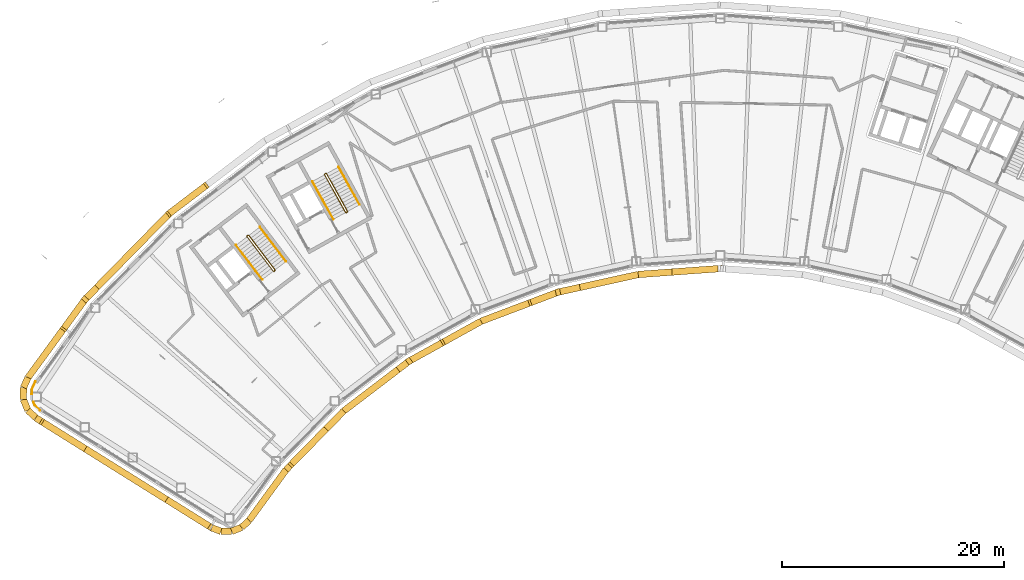
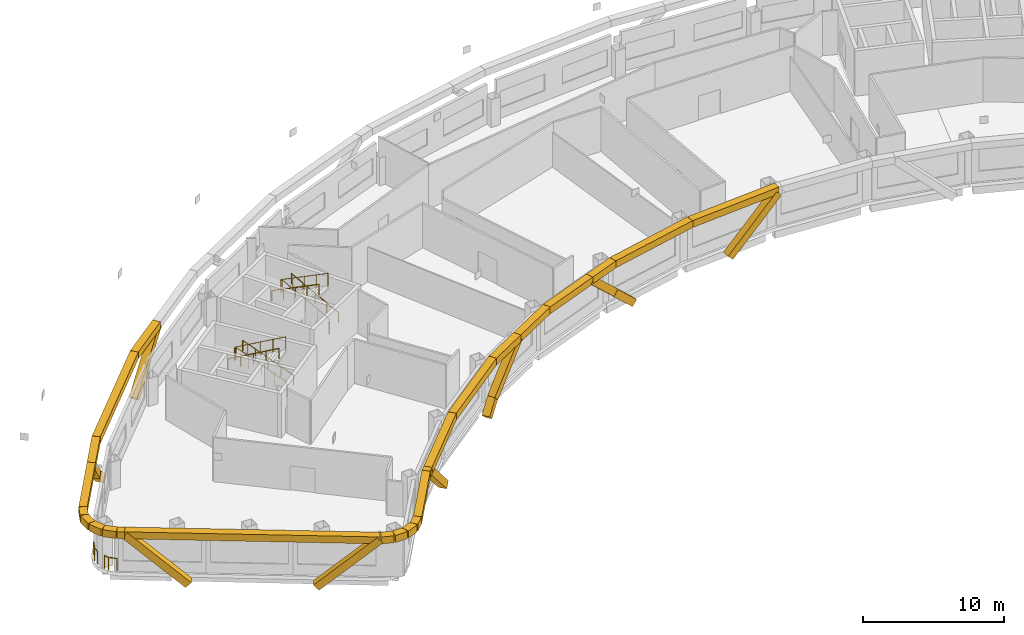
# One storey, part 18 of 21: 35 coverings, 8 railings.
"""IFC4 building model written with IfcOpenShell, lengths in metres."""

from ifc_helpers import new_model, si_unit, direction, frame, origin, origin_2d, place, context, subcontext, project, spatial, rectangle, circle, extrude, material, material_profile, profile_set, type_object, element, save


model = new_model("IFC4")

# Units and contexts
model_context = context("Model", 3, precision=1e-05, world=origin(), true_north=direction((0.0, 1.0)))
body_context = subcontext(model_context, "Body", "Model", "MODEL_VIEW")
ifc_project = project(units=[si_unit("LENGTHUNIT", "METRE"), si_unit("AREAUNIT", "SQUARE_METRE"), si_unit("VOLUMEUNIT", "CUBIC_METRE"), si_unit("PLANEANGLEUNIT", "RADIAN"), si_unit("MASSUNIT", "GRAM", prefix="KILO")], contexts=[model_context])

# Site, building, storey
site_placement = place(None, origin())
site = spatial("IfcSite", under=ifc_project, at=site_placement, CompositionType="ELEMENT")
building_placement = place(site_placement, origin())
building = spatial("IfcBuilding", under=site, at=building_placement, Name="Tuul Gate Civic Tower", CompositionType="ELEMENT")
storey_placement = place(building_placement, frame((0.0, 0.0, 311.0)))
storey = spatial("IfcBuildingStorey", under=building, at=storey_placement, Name="Level 70", CompositionType="ELEMENT", Elevation=311.0)

# Railings
ifc_material_1 = material(Name="Stainless steel", Category="steel")
railing_type_1 = type_object("IfcRailingType", Name="Edge guard", PredefinedType="GUARDRAIL", material=ifc_material_1)
railing_1_placement = place(storey_placement, frame((-54.987548828125, -23.52099609375, 0.0)))
element("IfcRailing", 1, at=railing_1_placement, inside=storey, type_object=railing_type_1, Name="Guard", PredefinedType="GUARDRAIL", context=body_context, shape_type="SweptSolid", body=[
    extrude(circle(Radius=0.02392578125, at=origin_2d()), frame((0.0, 0.0, 1.076171875), z_axis=(-0.415309485635, -0.909680180691, 0.0), x_axis=(0.909680180691, -0.415309485635, 0.0)), (0.0, 0.0, 1.0), 0.768798828125),
    extrude(circle(Radius=0.02392578125, at=origin_2d()), frame((-0.3193359375, -0.699462890625, 1.076171875), z_axis=(-0.022911815029, -0.99973748991, 0.0), x_axis=(0.99973748991, -0.022911815029, 0.0)), (0.0, 0.0, 1.0), 0.436767578125),
    extrude(circle(Radius=0.02099609375, at=origin_2d()), origin(), (0.0, 0.0, 1.0), 1.052001953125),
    extrude(circle(Radius=0.02099609375, at=origin_2d()), frame((-0.3193359375, -0.699462890625, 0.0)), (0.0, 0.0, 1.0), 1.052001953125),
    extrude(circle(Radius=0.02099609375, at=origin_2d()), frame((-0.329345703125, -1.13623046875, 0.0)), (0.0, 0.0, 1.0), 1.052001953125),
])
railing_2_placement = place(storey_placement, frame((-55.161865234375, -25.362548828125, 0.0)))
element("IfcRailing", 2, at=railing_2_placement, inside=storey, type_object=railing_type_1, Name="Guard", PredefinedType="GUARDRAIL", context=body_context, shape_type="SweptSolid", body=[
    extrude(circle(Radius=0.02392578125, at=origin_2d()), frame((0.0, 0.0, 1.076171875), z_axis=(0.385583880468, -0.922672786595, 0.0), x_axis=(0.922672786595, 0.385583880468, 0.0)), (0.0, 0.0, 1.0), 0.340087890625),
    extrude(circle(Radius=0.02392578125, at=origin_2d()), frame((0.131103515625, -0.313720703125, 1.076171875), z_axis=(0.722215812953, -0.691667781178, 0.0), x_axis=(0.691667781178, 0.722215812953, 0.0)), (0.0, 0.0, 1.0), 0.6474609375),
    extrude(circle(Radius=0.02099609375, at=origin_2d()), origin(), (0.0, 0.0, 1.0), 1.052001953125),
    extrude(circle(Radius=0.02099609375, at=origin_2d()), frame((0.131103515625, -0.313720703125, 0.0)), (0.0, 0.0, 1.0), 1.052001953125),
    extrude(circle(Radius=0.02099609375, at=origin_2d()), frame((0.5986328125, -0.761474609375, 0.0)), (0.0, 0.0, 1.0), 1.052001953125),
])
ifc_material_2 = material(Name="Painted steel", Category="steel")
railing_type_2 = type_object("IfcRailingType", Name="Stair guard", PredefinedType="GUARDRAIL", material=ifc_material_2)
railing_3_placement = place(storey_placement, frame((-33.382080078125, -13.515380859375, 0.0)))
element("IfcRailing", 3, at=railing_3_placement, inside=storey, type_object=railing_type_2, Name="Level 70 ST-1 stair guard 1", PredefinedType="GUARDRAIL", context=body_context, shape_type="SweptSolid", body=[
    extrude(circle(Radius=0.02392578125, at=origin_2d()), frame((0.0, 0.0, 1.076171875), z_axis=(-0.795879841968, -0.605454603706, 0.0), x_axis=(0.605454603706, -0.795879841968, 0.0)), (0.0, 0.0, 1.0), 0.10009765625),
    extrude(circle(Radius=0.02392578125, at=origin_2d()), frame((-0.07958984375, -0.060546875, 1.076171875), z_axis=(0.408991890351, 0.599481263939, 0.688002796371), x_axis=(-0.826063974707, 0.563576356576, 0.0)), (0.0, 0.0, 1.0), 0.2177734375),
    extrude(circle(Radius=0.02392578125, at=origin_2d()), frame((0.009521484375, 0.070068359375, 1.22607421875), z_axis=(-0.541810893183, 0.711627203922, 0.44724454012), x_axis=(-0.795637165283, -0.60577347352, 0.0)), (0.0, 0.0, 1.0), 4.3603515625),
    extrude(circle(Radius=0.02392578125, at=origin_2d()), frame((-2.35302734375, 3.173095703125, 3.17626953125), z_axis=(-0.990893089246, 0.134650977284, 0.0), x_axis=(-0.134650977284, -0.990893089246, 0.0)), (0.0, 0.0, 1.0), 0.07080078125),
    extrude(circle(Radius=0.02392578125, at=origin_2d()), frame((-2.423095703125, 3.1826171875, 3.17626953125), z_axis=(-0.793802879778, -0.60817512943, 0.0), x_axis=(0.60817512943, -0.793802879778, 0.0)), (0.0, 0.0, 1.0), 0.099853515625),
    extrude(circle(Radius=0.02392578125, at=origin_2d()), frame((-2.50244140625, 3.121826171875, 3.17626953125), z_axis=(-0.057447065493, -0.422751481959, 0.904423031091), x_axis=(0.990893089246, -0.134650977284, 0.0)), (0.0, 0.0, 1.0), 0.165771484375),
    extrude(circle(Radius=0.02392578125, at=origin_2d()), frame((-2.511962890625, 3.0517578125, 3.326171875), z_axis=(0.541806494602, -0.71163897684, 0.447231136047), x_axis=(0.795644365679, 0.605764016233, 0.0)), (0.0, 0.0, 1.0), 4.360107421875),
    extrude(circle(Radius=0.02099609375, at=origin_2d()), origin(), (0.0, 0.0, 1.0), 1.052001953125),
    extrude(circle(Radius=0.02099609375, at=origin_2d()), frame((-0.07958984375, -0.060546875, 0.0)), (0.0, 0.0, 1.0), 1.052001953125),
    extrude(circle(Radius=0.02099609375, at=origin_2d()), frame((0.009521484375, 0.070068359375, 0.14990234375)), (0.0, 0.0, 1.0), 1.052001953125),
    extrude(circle(Radius=0.02099609375, at=origin_2d()), frame((-0.5810546875, 0.845703125, 0.637451171875)), (0.0, 0.0, 1.0), 1.052001953125),
    extrude(circle(Radius=0.02099609375, at=origin_2d()), frame((-1.171875, 1.62158203125, 1.125)), (0.0, 0.0, 1.0), 1.052001953125),
    extrude(circle(Radius=0.02099609375, at=origin_2d()), frame((-1.762451171875, 2.3974609375, 1.612548828125)), (0.0, 0.0, 1.0), 1.052001953125),
    extrude(circle(Radius=0.02099609375, at=origin_2d()), frame((-2.35302734375, 3.173095703125, 2.10009765625)), (0.0, 0.0, 1.0), 1.052001953125),
    extrude(circle(Radius=0.02099609375, at=origin_2d()), frame((-2.423095703125, 3.1826171875, 2.10009765625)), (0.0, 0.0, 1.0), 1.052001953125),
    extrude(circle(Radius=0.02099609375, at=origin_2d()), frame((-2.50244140625, 3.121826171875, 2.10009765625)), (0.0, 0.0, 1.0), 1.052001953125),
    extrude(circle(Radius=0.02099609375, at=origin_2d()), frame((-2.511962890625, 3.0517578125, 2.25)), (0.0, 0.0, 1.0), 1.052001953125),
    extrude(circle(Radius=0.02099609375, at=origin_2d()), frame((-1.92138671875, 2.276123046875, 2.737548828125)), (0.0, 0.0, 1.0), 1.052001953125),
    extrude(circle(Radius=0.02099609375, at=origin_2d()), frame((-1.330810546875, 1.50048828125, 3.22509765625)), (0.0, 0.0, 1.0), 1.052001953125),
    extrude(circle(Radius=0.02099609375, at=origin_2d()), frame((-0.740234375, 0.724609375, 3.71240234375)), (0.0, 0.0, 1.0), 1.052001953125),
    extrude(circle(Radius=0.02099609375, at=origin_2d()), frame((-0.149658203125, -0.051025390625, 4.199951171875)), (0.0, 0.0, 1.0), 1.052001953125),
])
railing_4_placement = place(storey_placement, frame((-26.857666015625, -8.247314453125, 0.0)))
element("IfcRailing", 4, at=railing_4_placement, inside=storey, type_object=railing_type_2, Name="Level 70 ST-2 stair guard 1", PredefinedType="GUARDRAIL", context=body_context, shape_type="SweptSolid", body=[
    extrude(circle(Radius=0.02392578125, at=origin_2d()), frame((0.0, 0.0, 1.076171875), z_axis=(-0.874616555828, -0.48481530532, 0.0), x_axis=(0.48481530532, -0.874616555828, 0.0)), (0.0, 0.0, 1.0), 0.10009765625),
    extrude(circle(Radius=0.02392578125, at=origin_2d()), frame((-0.087646484375, -0.048583984375, 1.076171875), z_axis=(0.49081399482, 0.534516610797, 0.688036056665), x_axis=(-0.736576986774, 0.676353711126, 0.0)), (0.0, 0.0, 1.0), 0.2177734375),
    extrude(circle(Radius=0.02392578125, at=origin_2d()), frame((0.019287109375, 0.06787109375, 1.22607421875), z_axis=(-0.433539057192, 0.782307594871, 0.447256875739), x_axis=(-0.874667644053, -0.484723129681, 0.0)), (0.0, 0.0, 1.0), 4.3603515625),
    extrude(circle(Radius=0.02392578125, at=origin_2d()), frame((-1.87109375, 3.47900390625, 3.17626953125), z_axis=(-0.961263487578, 0.275631107549, 0.0), x_axis=(-0.275631107549, -0.961263487578, 0.0)), (0.0, 0.0, 1.0), 0.07080078125),
    extrude(circle(Radius=0.02392578125, at=origin_2d()), frame((-1.939208984375, 3.49853515625, 3.17626953125), z_axis=(-0.874042088414, -0.485850211157, 0.0), x_axis=(0.485850211157, -0.874042088414, 0.0)), (0.0, 0.0, 1.0), 0.10009765625),
    extrude(circle(Radius=0.02392578125, at=origin_2d()), frame((-2.026611328125, 3.449951171875, 3.17626953125), z_axis=(-0.117866478395, -0.409586012422, 0.90462522168), x_axis=(0.961000426733, -0.276546885391, 0.0)), (0.0, 0.0, 1.0), 0.165771484375),
    extrude(circle(Radius=0.02392578125, at=origin_2d()), frame((-2.046142578125, 3.382080078125, 3.326171875), z_axis=(0.433595379963, -0.782308193291, 0.447201226726), x_axis=(0.874641102302, 0.484771020343, 0.0)), (0.0, 0.0, 1.0), 4.3603515625),
    extrude(circle(Radius=0.02099609375, at=origin_2d()), origin(), (0.0, 0.0, 1.0), 1.052001953125),
    extrude(circle(Radius=0.02099609375, at=origin_2d()), frame((-0.087646484375, -0.048583984375, 0.0)), (0.0, 0.0, 1.0), 1.052001953125),
    extrude(circle(Radius=0.02099609375, at=origin_2d()), frame((0.019287109375, 0.06787109375, 0.14990234375)), (0.0, 0.0, 1.0), 1.052001953125),
    extrude(circle(Radius=0.02099609375, at=origin_2d()), frame((-0.453369140625, 0.920654296875, 0.637451171875)), (0.0, 0.0, 1.0), 1.052001953125),
    extrude(circle(Radius=0.02099609375, at=origin_2d()), frame((-0.92578125, 1.7734375, 1.125)), (0.0, 0.0, 1.0), 1.052001953125),
    extrude(circle(Radius=0.02099609375, at=origin_2d()), frame((-1.3984375, 2.626220703125, 1.612548828125)), (0.0, 0.0, 1.0), 1.052001953125),
    extrude(circle(Radius=0.02099609375, at=origin_2d()), frame((-1.87109375, 3.47900390625, 2.10009765625)), (0.0, 0.0, 1.0), 1.052001953125),
    extrude(circle(Radius=0.02099609375, at=origin_2d()), frame((-1.939208984375, 3.49853515625, 2.10009765625)), (0.0, 0.0, 1.0), 1.052001953125),
    extrude(circle(Radius=0.02099609375, at=origin_2d()), frame((-2.026611328125, 3.449951171875, 2.10009765625)), (0.0, 0.0, 1.0), 1.052001953125),
    extrude(circle(Radius=0.02099609375, at=origin_2d()), frame((-2.046142578125, 3.382080078125, 2.25)), (0.0, 0.0, 1.0), 1.052001953125),
    extrude(circle(Radius=0.02099609375, at=origin_2d()), frame((-1.573486328125, 2.529296875, 2.737548828125)), (0.0, 0.0, 1.0), 1.052001953125),
    extrude(circle(Radius=0.02099609375, at=origin_2d()), frame((-1.100830078125, 1.676513671875, 3.22509765625)), (0.0, 0.0, 1.0), 1.052001953125),
    extrude(circle(Radius=0.02099609375, at=origin_2d()), frame((-0.628173828125, 0.82373046875, 3.71240234375)), (0.0, 0.0, 1.0), 1.052001953125),
    extrude(circle(Radius=0.02099609375, at=origin_2d()), frame((-0.155517578125, -0.029052734375, 4.199951171875)), (0.0, 0.0, 1.0), 1.052001953125),
])
ifc_material_3 = material(Name="Painted steel", Category="steel")
railing_type_3 = type_object("IfcRailingType", Name="Stair handrail", PredefinedType="HANDRAIL", material=ifc_material_3)
railing_5_placement = place(storey_placement, frame((-32.3779296875, -12.688232421875, 0.14990234375)))
element("IfcRailing", 5, at=railing_5_placement, inside=storey, type_object=railing_type_3, Name="Level 70 ST-1 stair handrail 1", PredefinedType="HANDRAIL", context=body_context, shape_type="SweptSolid", body=[
    extrude(circle(Radius=0.02392578125, at=origin_2d()), frame((0.0, 0.0, 0.8759765625), z_axis=(-0.541810893183, 0.711627203922, 0.44724454012), x_axis=(-0.795637165283, -0.60577347352, 0.0)), (0.0, 0.0, 1.0), 4.3603515625),
    extrude(circle(Radius=0.02099609375, at=origin_2d()), origin(), (0.0, 0.0, 1.0), 0.851806640625),
    extrude(circle(Radius=0.02099609375, at=origin_2d()), frame((-0.590576171875, 0.77587890625, 0.487548828125)), (0.0, 0.0, 1.0), 0.851806640625),
    extrude(circle(Radius=0.02099609375, at=origin_2d()), frame((-1.18115234375, 1.551513671875, 0.97509765625)), (0.0, 0.0, 1.0), 0.851806640625),
    extrude(circle(Radius=0.02099609375, at=origin_2d()), frame((-1.77197265625, 2.3271484375, 1.462646484375)), (0.0, 0.0, 1.0), 0.851806640625),
    extrude(circle(Radius=0.02099609375, at=origin_2d()), frame((-2.362548828125, 3.10302734375, 1.9501953125)), (0.0, 0.0, 1.0), 0.851806640625),
])
railing_6_placement = place(storey_placement, frame((-36.888671875, -11.220703125, 2.25)))
element("IfcRailing", 6, at=railing_6_placement, inside=storey, type_object=railing_type_3, Name="Level 70 ST-1 stair handrail 2", PredefinedType="HANDRAIL", context=body_context, shape_type="SweptSolid", body=[
    extrude(circle(Radius=0.02392578125, at=origin_2d()), frame((0.0, 0.0, 0.8759765625), z_axis=(0.541824460341, -0.711645023348, 0.447199748346), x_axis=(0.795637165283, 0.60577347352, 0.0)), (0.0, 0.0, 1.0), 4.3603515625),
    extrude(circle(Radius=0.02099609375, at=origin_2d()), origin(), (0.0, 0.0, 1.0), 0.851806640625),
    extrude(circle(Radius=0.02099609375, at=origin_2d()), frame((0.590576171875, -0.77587890625, 0.487548828125)), (0.0, 0.0, 1.0), 0.851806640625),
    extrude(circle(Radius=0.02099609375, at=origin_2d()), frame((1.18115234375, -1.551513671875, 0.97509765625)), (0.0, 0.0, 1.0), 0.851806640625),
    extrude(circle(Radius=0.02099609375, at=origin_2d()), frame((1.77197265625, -2.3271484375, 1.46240234375)), (0.0, 0.0, 1.0), 0.851806640625),
    extrude(circle(Radius=0.02099609375, at=origin_2d()), frame((2.362548828125, -3.10302734375, 1.949951171875)), (0.0, 0.0, 1.0), 0.851806640625),
])
railing_7_placement = place(storey_placement, frame((-25.744873046875, -7.573486328125, 0.14990234375)))
element("IfcRailing", 7, at=railing_7_placement, inside=storey, type_object=railing_type_3, Name="Level 70 ST-2 stair handrail 1", PredefinedType="HANDRAIL", context=body_context, shape_type="SweptSolid", body=[
    extrude(circle(Radius=0.02392578125, at=origin_2d()), frame((0.0, 0.0, 0.8759765625), z_axis=(-0.433584522764, 0.782288604346, 0.447246018574), x_axis=(-0.874641102302, -0.484771020343, 0.0)), (0.0, 0.0, 1.0), 4.3603515625),
    extrude(circle(Radius=0.02099609375, at=origin_2d()), origin(), (0.0, 0.0, 1.0), 0.851806640625),
    extrude(circle(Radius=0.02099609375, at=origin_2d()), frame((-0.47265625, 0.852783203125, 0.487548828125)), (0.0, 0.0, 1.0), 0.851806640625),
    extrude(circle(Radius=0.02099609375, at=origin_2d()), frame((-0.9453125, 1.70556640625, 0.97509765625)), (0.0, 0.0, 1.0), 0.851806640625),
    extrude(circle(Radius=0.02099609375, at=origin_2d()), frame((-1.41796875, 2.558349609375, 1.462646484375)), (0.0, 0.0, 1.0), 0.851806640625),
    extrude(circle(Radius=0.02099609375, at=origin_2d()), frame((-1.890625, 3.4111328125, 1.9501953125)), (0.0, 0.0, 1.0), 0.851806640625),
])
railing_8_placement = place(storey_placement, frame((-29.9970703125, -5.47119140625, 2.25)))
element("IfcRailing", 8, at=railing_8_placement, inside=storey, type_object=railing_type_3, Name="Level 70 ST-2 stair handrail 2", PredefinedType="HANDRAIL", context=body_context, shape_type="SweptSolid", body=[
    extrude(circle(Radius=0.02392578125, at=origin_2d()), frame((0.0, 0.0, 0.8759765625), z_axis=(0.433595379963, -0.782308193291, 0.447201226726), x_axis=(0.874641102302, 0.484771020343, 0.0)), (0.0, 0.0, 1.0), 4.3603515625),
    extrude(circle(Radius=0.02099609375, at=origin_2d()), origin(), (0.0, 0.0, 1.0), 0.851806640625),
    extrude(circle(Radius=0.02099609375, at=origin_2d()), frame((0.47265625, -0.852783203125, 0.487548828125)), (0.0, 0.0, 1.0), 0.851806640625),
    extrude(circle(Radius=0.02099609375, at=origin_2d()), frame((0.9453125, -1.70556640625, 0.97509765625)), (0.0, 0.0, 1.0), 0.851806640625),
    extrude(circle(Radius=0.02099609375, at=origin_2d()), frame((1.41796875, -2.558349609375, 1.46240234375)), (0.0, 0.0, 1.0), 0.851806640625),
    extrude(circle(Radius=0.02099609375, at=origin_2d()), frame((1.890625, -3.4111328125, 1.949951171875)), (0.0, 0.0, 1.0), 0.851806640625),
])

# Coverings
ifc_material_4 = material(Name="Terracotta baguette", Category="masonry")
ifc_material_profile = material_profile(ifc_material_4, rectangle(XDim=0.60009765625, YDim=0.60009765625, at=origin_2d()), Name="Terracotta baguette screen frame")
ifc_profile_set = profile_set([ifc_material_profile], Name="Terracotta baguette")
covering_type = type_object("IfcCoveringType", Name="Terracotta baguette screen frame", PredefinedType="CLADDING", material=ifc_profile_set)
covering_1_placement = place(storey_placement, frame((-39.652587890625, -5.88037109375, 3.85009765625), z_axis=(-0.583798891635, -0.444509138069, -0.679404504179), x_axis=(0.605793108402, -0.79562221551, 0.0)))
element("IfcCovering", 9, at=covering_1_placement, inside=storey, type_object=covering_type, Name="Baguette 113", PredefinedType="CLADDING", context=body_context, shape_type="SweptSolid", body=[
    extrude(rectangle(XDim=0.60009765625, YDim=0.60009765625, at=origin_2d()), origin(), (0.0, 0.0, 1.0), 5.572021484375),
])
covering_2_placement = place(storey_placement, frame((-49.570068359375, -15.155517578125, -0.35009765625), z_axis=(-0.513701358244, -0.523932307727, 0.679415816315), x_axis=(0.714044065429, -0.70010075891, 0.0)))
element("IfcCovering", 10, at=covering_2_placement, inside=storey, type_object=covering_type, Name="Baguette 127", PredefinedType="CLADDING", context=body_context, shape_type="SweptSolid", body=[
    extrude(rectangle(XDim=0.60009765625, YDim=0.60009765625, at=origin_2d()), origin(), (0.0, 0.0, 1.0), 1.8134765625),
])
covering_3_placement = place(storey_placement, frame((-50.501708984375, -16.105712890625, 0.882080078125), z_axis=(-0.433756102207, -0.593983365967, 0.677524468011), x_axis=(0.807590994458, -0.589742982723, 0.0)))
element("IfcCovering", 11, at=covering_3_placement, inside=storey, type_object=covering_type, Name="Baguette 128", PredefinedType="CLADDING", context=body_context, shape_type="SweptSolid", body=[
    extrude(rectangle(XDim=0.60009765625, YDim=0.60009765625, at=origin_2d()), origin(), (0.0, 0.0, 1.0), 4.380615234375),
])
covering_4_placement = place(storey_placement, frame((-52.40185546875, -18.707763671875, 3.85009765625), z_axis=(-0.589747855269, -0.807587436261, 0.0), x_axis=(0.807587436261, -0.589747855269, 0.0)))
element("IfcCovering", 12, at=covering_4_placement, inside=storey, type_object=covering_type, Name="Baguette 141", PredefinedType="CLADDING", context=body_context, shape_type="SweptSolid", body=[
    extrude(rectangle(XDim=0.60009765625, YDim=0.60009765625, at=origin_2d()), origin(), (0.0, 0.0, 1.0), 5.512939453125),
])
covering_5_placement = place(storey_placement, frame((-55.653076171875, -23.159912109375, 3.85009765625), z_axis=(-0.413393330634, -0.910552554325, 0.0), x_axis=(0.910552554325, -0.413393330634, 0.0)))
element("IfcCovering", 13, at=covering_5_placement, inside=storey, type_object=covering_type, Name="Baguette 142", PredefinedType="CLADDING", context=body_context, shape_type="SweptSolid", body=[
    extrude(rectangle(XDim=0.60009765625, YDim=0.60009765625, at=origin_2d()), origin(), (0.0, 0.0, 1.0), 0.988037109375),
])
covering_6_placement = place(storey_placement, frame((-56.0615234375, -24.0595703125, 3.85009765625), z_axis=(-0.014627006458, -0.999893019619, 0.0), x_axis=(0.999893019619, -0.014627006458, 0.0)))
element("IfcCovering", 14, at=covering_6_placement, inside=storey, type_object=covering_type, Name="Baguette 143", PredefinedType="CLADDING", context=body_context, shape_type="SweptSolid", body=[
    extrude(rectangle(XDim=0.60009765625, YDim=0.60009765625, at=origin_2d()), origin(), (0.0, 0.0, 1.0), 1.068115234375),
])
covering_7_placement = place(storey_placement, frame((-56.0771484375, -25.127685546875, 3.85009765625), z_axis=(0.386726676251, -0.922194381829, 0.0), x_axis=(0.922194381829, 0.386726676251, 0.0)))
element("IfcCovering", 15, at=covering_7_placement, inside=storey, type_object=covering_type, Name="Baguette 144", PredefinedType="CLADDING", context=body_context, shape_type="SweptSolid", body=[
    extrude(rectangle(XDim=0.60009765625, YDim=0.60009765625, at=origin_2d()), origin(), (0.0, 0.0, 1.0), 1.06689453125),
])
covering_8_placement = place(storey_placement, frame((-55.66455078125, -26.111572265625, 3.85009765625), z_axis=(0.721550422979, -0.69236189027, 0.0), x_axis=(0.69236189027, 0.721550422979, 0.0)))
element("IfcCovering", 16, at=covering_8_placement, inside=storey, type_object=covering_type, Name="Baguette 145", PredefinedType="CLADDING", context=body_context, shape_type="SweptSolid", body=[
    extrude(rectangle(XDim=0.60009765625, YDim=0.60009765625, at=origin_2d()), origin(), (0.0, 0.0, 1.0), 0.987060546875),
])
covering_9_placement = place(storey_placement, frame((-54.952392578125, -26.794921875, 3.85009765625), z_axis=(0.848304313785, -0.529509009568, 0.0), x_axis=(0.529509009568, 0.848304313785, 0.0)))
element("IfcCovering", 17, at=covering_9_placement, inside=storey, type_object=covering_type, Name="Baguette 146", PredefinedType="CLADDING", context=body_context, shape_type="SweptSolid", body=[
    extrude(rectangle(XDim=0.60009765625, YDim=0.60009765625, at=origin_2d()), origin(), (0.0, 0.0, 1.0), 0.53759765625),
])
for number, where, z_axis, x_axis, name in (
    (18, (-54.496337890625, -27.07958984375, 3.85009765625), (0.621656383482, -0.388475936409, -0.680168940564), (0.529940764372, 0.848034661, 0.0), "Baguette 148"),
    (19, (-42.979736328125, -34.27587890625, -0.35009765625), (0.621656383482, -0.388475936409, 0.680168940564), (0.529940764372, 0.848034661, 0.0), "Baguette 156"),
):
    element("IfcCovering", number, at=place(storey_placement, frame(where, z_axis=z_axis, x_axis=x_axis)), inside=storey, type_object=covering_type, Name=name, PredefinedType="CLADDING", context=body_context, shape_type="SweptSolid", body=[
        extrude(rectangle(XDim=0.60009765625, YDim=0.60009765625, at=origin_2d()), origin(), (0.0, 0.0, 1.0), 6.17529296875),
    ])
covering_10_placement = place(storey_placement, frame((-39.0966796875, -36.702392578125, 3.85009765625), z_axis=(0.932070663417, -0.362276522007, 0.0), x_axis=(0.362276522007, 0.932070663417, 0.0)))
element("IfcCovering", 20, at=covering_10_placement, inside=storey, type_object=covering_type, Name="Baguette 172", PredefinedType="CLADDING", context=body_context, shape_type="SweptSolid", body=[
    extrude(rectangle(XDim=0.60009765625, YDim=0.60009765625, at=origin_2d()), origin(), (0.0, 0.0, 1.0), 0.90234375),
])
covering_11_placement = place(storey_placement, frame((-38.255615234375, -37.029296875, 3.85009765625), z_axis=(0.999996190252, 0.002760340801, 0.0), x_axis=(-0.002760340801, 0.999996190252, 0.0)))
element("IfcCovering", 21, at=covering_11_placement, inside=storey, type_object=covering_type, Name="Baguette 173", PredefinedType="CLADDING", context=body_context, shape_type="SweptSolid", body=[
    extrude(rectangle(XDim=0.60009765625, YDim=0.60009765625, at=origin_2d()), origin(), (0.0, 0.0, 1.0), 0.972900390625),
])
covering_12_placement = place(storey_placement, frame((-37.28271484375, -37.026611328125, 3.85009765625), z_axis=(0.92951118864, 0.368793912902, 0.0), x_axis=(-0.368793912902, 0.92951118864, 0.0)))
element("IfcCovering", 22, at=covering_12_placement, inside=storey, type_object=covering_type, Name="Baguette 174", PredefinedType="CLADDING", context=body_context, shape_type="SweptSolid", body=[
    extrude(rectangle(XDim=0.60009765625, YDim=0.60009765625, at=origin_2d()), origin(), (0.0, 0.0, 1.0), 0.97314453125),
])
covering_13_placement = place(storey_placement, frame((-36.378173828125, -36.667724609375, 3.85009765625), z_axis=(0.729874818013, 0.683580829185, 0.0), x_axis=(-0.683580829185, 0.729874818013, 0.0)))
element("IfcCovering", 23, at=covering_13_placement, inside=storey, type_object=covering_type, Name="Baguette 175", PredefinedType="CLADDING", context=body_context, shape_type="SweptSolid", body=[
    extrude(rectangle(XDim=0.60009765625, YDim=0.60009765625, at=origin_2d()), origin(), (0.0, 0.0, 1.0), 0.90185546875),
])
covering_14_placement = place(storey_placement, frame((-35.719970703125, -36.05126953125, 3.85009765625), z_axis=(0.589729447422, 0.807600878432, 0.0), x_axis=(-0.807600878432, 0.589729447422, 0.0)))
element("IfcCovering", 24, at=covering_14_placement, inside=storey, type_object=covering_type, Name="Baguette 176", PredefinedType="CLADDING", context=body_context, shape_type="SweptSolid", body=[
    extrude(rectangle(XDim=0.60009765625, YDim=0.60009765625, at=origin_2d()), origin(), (0.0, 0.0, 1.0), 5.671142578125),
])
covering_15_placement = place(storey_placement, frame((-32.37548828125, -31.47119140625, 3.85009765625), z_axis=(0.700143080351, 0.714002567948, 0.0), x_axis=(-0.714002567948, 0.700143080351, 0.0)))
element("IfcCovering", 25, at=covering_15_placement, inside=storey, type_object=covering_type, Name="Baguette 177", PredefinedType="CLADDING", context=body_context, shape_type="SweptSolid", body=[
    extrude(rectangle(XDim=0.60009765625, YDim=0.60009765625, at=origin_2d()), origin(), (0.0, 0.0, 1.0), 0.5107421875),
])
covering_16_placement = place(storey_placement, frame((-32.017822265625, -31.1064453125, 3.85009765625), z_axis=(0.507757375556, 0.51800055035, -0.688373356112), x_axis=(-0.714132313758, 0.700010741665, 0.0)))
element("IfcCovering", 26, at=covering_16_placement, inside=storey, type_object=covering_type, Name="Baguette 179", PredefinedType="CLADDING", context=body_context, shape_type="SweptSolid", body=[
    extrude(rectangle(XDim=0.60009765625, YDim=0.60009765625, at=origin_2d()), origin(), (0.0, 0.0, 1.0), 6.1015625),
])
covering_17_placement = place(storey_placement, frame((-22.1142578125, -22.314208984375, -0.35009765625), z_axis=(0.577029634039, 0.439408150855, 0.688445552243), x_axis=(-0.605839521282, 0.795586874234, 0.0)))
element("IfcCovering", 27, at=covering_17_placement, inside=storey, type_object=covering_type, Name="Baguette 192", PredefinedType="CLADDING", context=body_context, shape_type="SweptSolid", body=[
    extrude(rectangle(XDim=0.60009765625, YDim=0.60009765625, at=origin_2d()), origin(), (0.0, 0.0, 1.0), 1.444091796875),
])
covering_18_placement = place(storey_placement, frame((-21.281005859375, -21.6796875, 0.64404296875), z_axis=(0.634450812134, 0.351663127776, 0.688335101201), x_axis=(-0.48478990003, 0.874630637943, 0.0)))
element("IfcCovering", 28, at=covering_18_placement, inside=storey, type_object=covering_type, Name="Baguette 193", PredefinedType="CLADDING", context=body_context, shape_type="SweptSolid", body=[
    extrude(rectangle(XDim=0.60009765625, YDim=0.60009765625, at=origin_2d()), origin(), (0.0, 0.0, 1.0), 4.65771484375),
])
covering_19_placement = place(storey_placement, frame((-18.325927734375, -20.041748046875, 3.85009765625), z_axis=(0.874604491332, 0.484837069274, 0.0), x_axis=(-0.484837069274, 0.874604491332, 0.0)))
element("IfcCovering", 29, at=covering_19_placement, inside=storey, type_object=covering_type, Name="Baguette 198", PredefinedType="CLADDING", context=body_context, shape_type="SweptSolid", body=[
    extrude(rectangle(XDim=0.60009765625, YDim=0.60009765625, at=origin_2d()), origin(), (0.0, 0.0, 1.0), 4.03955078125),
])
covering_20_placement = place(storey_placement, frame((-14.79296875, -18.083251953125, 3.85009765625), z_axis=(0.935362476844, 0.353690594889, 0.0), x_axis=(-0.353690594889, 0.935362476844, 0.0)))
element("IfcCovering", 30, at=covering_20_placement, inside=storey, type_object=covering_type, Name="Baguette 199", PredefinedType="CLADDING", context=body_context, shape_type="SweptSolid", body=[
    extrude(rectangle(XDim=0.60009765625, YDim=0.60009765625, at=origin_2d()), origin(), (0.0, 0.0, 1.0), 4.8125),
])
covering_21_placement = place(storey_placement, frame((-10.29150390625, -16.381103515625, 3.85009765625), z_axis=(0.678499099244, 0.256527309211, -0.688355076943), x_axis=(-0.353648388587, 0.935378435314, 0.0)))
element("IfcCovering", 31, at=covering_21_placement, inside=storey, type_object=covering_type, Name="Baguette 202", PredefinedType="CLADDING", context=body_context, shape_type="SweptSolid", body=[
    extrude(rectangle(XDim=0.60009765625, YDim=0.60009765625, at=origin_2d()), origin(), (0.0, 0.0, 1.0), 3.591796875),
])
covering_22_placement = place(storey_placement, frame((-7.8544921875, -15.459716796875, 1.377685546875), z_axis=(0.70833533565, 0.15612169922, -0.688394557868), x_axis=(-0.215240395152, 0.976561095014, 0.0)))
element("IfcCovering", 32, at=covering_22_placement, inside=storey, type_object=covering_type, Name="Baguette 203", PredefinedType="CLADDING", context=body_context, shape_type="SweptSolid", body=[
    extrude(rectangle(XDim=0.60009765625, YDim=0.60009765625, at=origin_2d()), origin(), (0.0, 0.0, 1.0), 2.509765625),
])
covering_23_placement = place(storey_placement, frame((2.635498046875, -13.6279296875, -0.35009765625), z_axis=(0.723503329263, 0.052447504555, 0.688325643726), x_axis=(-0.072301313181, 0.997382835281, 0.0)))
element("IfcCovering", 33, at=covering_23_placement, inside=storey, type_object=covering_type, Name="Baguette 218", PredefinedType="CLADDING", context=body_context, shape_type="SweptSolid", body=[
    extrude(rectangle(XDim=0.60009765625, YDim=0.60009765625, at=origin_2d()), origin(), (0.0, 0.0, 1.0), 5.739501953125),
])
covering_24_placement = place(storey_placement, frame((-39.652587890625, -5.88037109375, 3.85009765625), z_axis=(-0.79562221551, -0.605793108402, 0.0), x_axis=(0.605793108402, -0.79562221551, 0.0)))
element("IfcCovering", 34, at=covering_24_placement, inside=storey, type_object=covering_type, Name="Baguette 420", PredefinedType="CLADDING", context=body_context, shape_type="SweptSolid", body=[
    extrude(rectangle(XDim=0.60009765625, YDim=0.60009765625, at=origin_2d()), origin(), (0.0, 0.0, 1.0), 4.088623046875),
])
covering_25_placement = place(storey_placement, frame((-42.905517578125, -8.357177734375, 3.85009765625), z_axis=(-0.70005206482, -0.714091805401, 0.0), x_axis=(0.714091805401, -0.70005206482, 0.0)))
element("IfcCovering", 35, at=covering_25_placement, inside=storey, type_object=covering_type, Name="Baguette 421", PredefinedType="CLADDING", context=body_context, shape_type="SweptSolid", body=[
    extrude(rectangle(XDim=0.60009765625, YDim=0.60009765625, at=origin_2d()), origin(), (0.0, 0.0, 1.0), 10.850830078125),
])
covering_26_placement = place(storey_placement, frame((-50.501708984375, -16.105712890625, 3.85009765625), z_axis=(-0.589742982723, -0.807590994458, 0.0), x_axis=(0.807590994458, -0.589742982723, 0.0)))
element("IfcCovering", 36, at=covering_26_placement, inside=storey, type_object=covering_type, Name="Baguette 422", PredefinedType="CLADDING", context=body_context, shape_type="SweptSolid", body=[
    extrude(rectangle(XDim=0.60009765625, YDim=0.60009765625, at=origin_2d()), origin(), (0.0, 0.0, 1.0), 3.221923828125),
])
covering_27_placement = place(storey_placement, frame((-54.496337890625, -27.07958984375, 3.85009765625), z_axis=(0.848046779804, -0.529921370832, 0.0), x_axis=(0.529921370832, 0.848046779804, 0.0)))
element("IfcCovering", 37, at=covering_27_placement, inside=storey, type_object=covering_type, Name="Baguette 423", PredefinedType="CLADDING", context=body_context, shape_type="SweptSolid", body=[
    extrude(rectangle(XDim=0.60009765625, YDim=0.60009765625, at=origin_2d()), origin(), (0.0, 0.0, 1.0), 18.10693359375),
])
covering_28_placement = place(storey_placement, frame((-32.017822265625, -31.1064453125, 3.85009765625), z_axis=(0.700038192613, 0.714105404603, 0.0), x_axis=(-0.714105404603, 0.700038192613, 0.0)))
element("IfcCovering", 38, at=covering_28_placement, inside=storey, type_object=covering_type, Name="Baguette 424", PredefinedType="CLADDING", context=body_context, shape_type="SweptSolid", body=[
    extrude(rectangle(XDim=0.60009765625, YDim=0.60009765625, at=origin_2d()), origin(), (0.0, 0.0, 1.0), 6.907470703125),
])
covering_29_placement = place(storey_placement, frame((-27.182373046875, -26.173828125, 3.85009765625), z_axis=(0.795570717168, 0.605860738111, 0.0), x_axis=(-0.605860738111, 0.795570717168, 0.0)))
element("IfcCovering", 39, at=covering_29_placement, inside=storey, type_object=covering_type, Name="Baguette 425", PredefinedType="CLADDING", context=body_context, shape_type="SweptSolid", body=[
    extrude(rectangle(XDim=0.60009765625, YDim=0.60009765625, at=origin_2d()), origin(), (0.0, 0.0, 1.0), 7.417724609375),
])
covering_30_placement = place(storey_placement, frame((-21.281005859375, -21.6796875, 3.85009765625), z_axis=(0.874630637943, 0.48478990003, 0.0), x_axis=(-0.48478990003, 0.874630637943, 0.0)))
element("IfcCovering", 40, at=covering_30_placement, inside=storey, type_object=covering_type, Name="Baguette 426", PredefinedType="CLADDING", context=body_context, shape_type="SweptSolid", body=[
    extrude(rectangle(XDim=0.60009765625, YDim=0.60009765625, at=origin_2d()), origin(), (0.0, 0.0, 1.0), 3.378662109375),
])
covering_31_placement = place(storey_placement, frame((-10.29150390625, -16.381103515625, 3.85009765625), z_axis=(0.935378435314, 0.353648388587, 0.0), x_axis=(-0.353648388587, 0.935378435314, 0.0)))
element("IfcCovering", 41, at=covering_31_placement, inside=storey, type_object=covering_type, Name="Baguette 427", PredefinedType="CLADDING", context=body_context, shape_type="SweptSolid", body=[
    extrude(rectangle(XDim=0.60009765625, YDim=0.60009765625, at=origin_2d()), origin(), (0.0, 0.0, 1.0), 2.60546875),
])
covering_32_placement = place(storey_placement, frame((-7.8544921875, -15.459716796875, 3.85009765625), z_axis=(0.976558886135, 0.215250416748, 0.0), x_axis=(-0.215250416748, 0.976558886135, 0.0)))
element("IfcCovering", 42, at=covering_32_placement, inside=storey, type_object=covering_type, Name="Baguette 428", PredefinedType="CLADDING", context=body_context, shape_type="SweptSolid", body=[
    extrude(rectangle(XDim=0.60009765625, YDim=0.60009765625, at=origin_2d()), origin(), (0.0, 0.0, 1.0), 7.417724609375),
])
covering_33_placement = place(storey_placement, frame((-0.610595703125, -13.863037109375, 3.85009765625), z_axis=(0.997384830366, 0.072273786091, 0.0), x_axis=(-0.072273786091, 0.997384830366, 0.0)))
element("IfcCovering", 43, at=covering_33_placement, inside=storey, type_object=covering_type, Name="Baguette 429", PredefinedType="CLADDING", context=body_context, shape_type="SweptSolid", body=[
    extrude(rectangle(XDim=0.60009765625, YDim=0.60009765625, at=origin_2d()), origin(), (0.0, 0.0, 1.0), 7.41796875),
])

save(model, "model.ifc")
